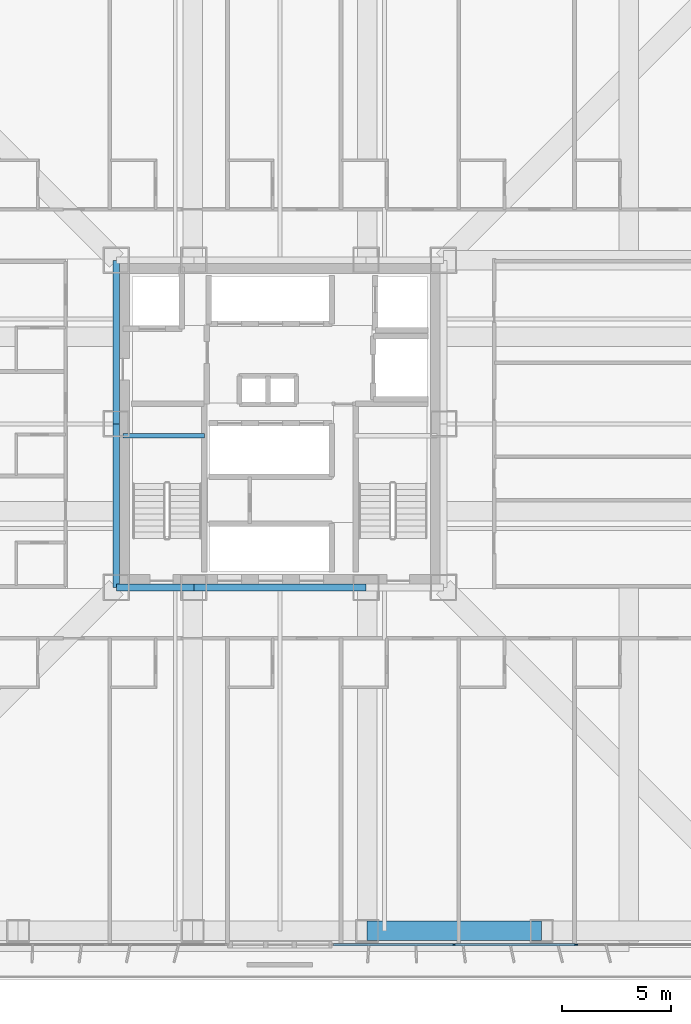
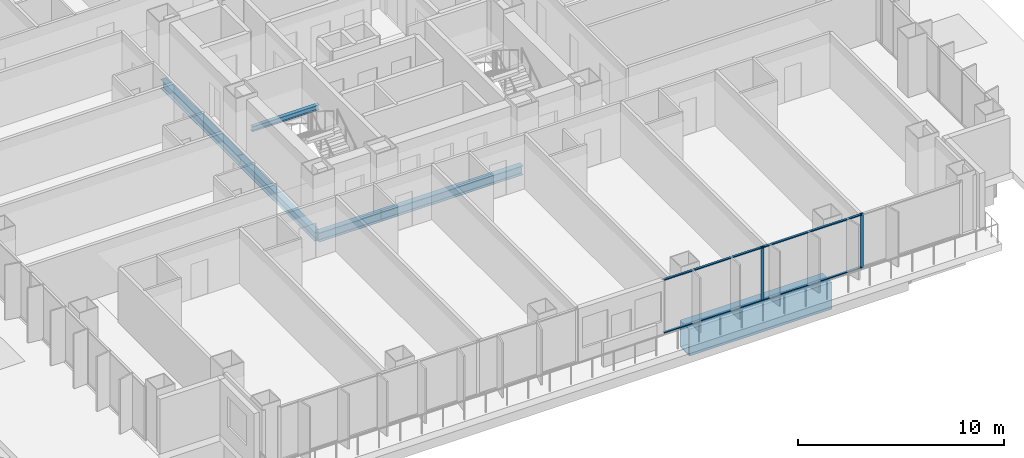
# One storey, part 6 of 24: 6 beams, 6 members, 1 element without a shape of its own.
"""IFC4 building model written with IfcOpenShell, lengths in metres."""

from ifc_helpers import new_model, si_unit, direction, frame, origin, origin_2d, place, context, subcontext, project, spatial, rectangle, hollow_rectangle, i_section, extrude, material, layer, layer_set, material_profile, profile_set, type_object, element, aggregate, save


model = new_model("IFC4")

# Units and contexts
model_context = context("Model", 3, precision=1e-05, world=origin(), true_north=direction((0.0, 1.0)))
body_context = subcontext(model_context, "Body", "Model", "MODEL_VIEW")
ifc_project = project(units=[si_unit("LENGTHUNIT", "METRE"), si_unit("AREAUNIT", "SQUARE_METRE"), si_unit("VOLUMEUNIT", "CUBIC_METRE"), si_unit("PLANEANGLEUNIT", "RADIAN"), si_unit("MASSUNIT", "GRAM", prefix="KILO")], contexts=[model_context])

# Site, building, storey
site_placement = place(None, origin())
site = spatial("IfcSite", under=ifc_project, at=site_placement, CompositionType="ELEMENT")
building_placement = place(site_placement, origin())
building = spatial("IfcBuilding", under=site, at=building_placement, Name="Trevonay Congress Spire", CompositionType="ELEMENT")
storey_placement = place(building_placement, frame((0.0, 0.0, 27.0)))
storey = spatial("IfcBuildingStorey", under=building, at=storey_placement, Name="L05", CompositionType="ELEMENT", Elevation=27.0)

# Beams
ifc_material_1 = material(Name="Steel ASTM A572 Grade 50", Category="steel")
ifc_material_profile_1 = material_profile(ifc_material_1, i_section(OverallWidth=0.31201171875, OverallDepth=0.54296875, WebThickness=0.0126953125, FlangeThickness=0.020263671875, FilletRadius=0.014892578125, at=origin_2d()), Name="W530x150")
ifc_profile_set_1 = profile_set([ifc_material_profile_1], Name="Steel ASTM A572 Grade 50")
beam_type_1 = type_object("IfcBeamType", Name="BM-GIRD-W530X150", PredefinedType="BEAM", material=ifc_profile_set_1)
beam_1_placement = place(storey_placement, frame((-7.5, -7.5, -0.67138671875), z_axis=(1.0, 0.0, 0.0), x_axis=(0.0, 1.0, 0.0)))
element("IfcBeam", 1, at=beam_1_placement, inside=storey, type_object=beam_type_1, Name="L05 structural beam BM-L05-CR-S1", PredefinedType="BEAM", context=body_context, shape_type="SweptSolid", body=[
    extrude(i_section(OverallWidth=0.31201171875, OverallDepth=0.54296875, WebThickness=0.0126953125, FlangeThickness=0.020263671875, FilletRadius=0.014892578125, at=origin_2d()), origin(), (0.0, 0.0, 1.0), 3.550048828125),
])
beam_2_placement = place(storey_placement, frame((-3.949951171875, -7.5, -0.67138671875), z_axis=(1.0, 0.0, 0.0), x_axis=(0.0, 1.0, 0.0)))
element("IfcBeam", 2, at=beam_2_placement, inside=storey, type_object=beam_type_1, Name="L05 structural beam BM-L05-CR-S2", PredefinedType="BEAM", context=body_context, shape_type="SweptSolid", body=[
    extrude(i_section(OverallWidth=0.31201171875, OverallDepth=0.54296875, WebThickness=0.0126953125, FlangeThickness=0.020263671875, FilletRadius=0.014892578125, at=origin_2d()), origin(), (0.0, 0.0, 1.0), 7.89990234375),
])
for number, where, z_axis, x_axis, name in (
    (3, (-7.5, -7.5, -0.67138671875), (0.0, 1.0, 0.0), (-1.0, 0.0, 0.0), "L05 structural beam BM-L05-CR-W1"),
    (4, (-7.5, 0.0, -0.67138671875), (0.0, 1.0, 0.0), (-1.0, 0.0, 0.0), "L05 structural beam BM-L05-CR-W2"),
):
    element("IfcBeam", number, at=place(storey_placement, frame(where, z_axis=z_axis, x_axis=x_axis)), inside=storey, type_object=beam_type_1, Name=name, PredefinedType="BEAM", context=body_context, shape_type="SweptSolid", body=[
        extrude(i_section(OverallWidth=0.31201171875, OverallDepth=0.54296875, WebThickness=0.0126953125, FlangeThickness=0.020263671875, FilletRadius=0.014892578125, at=origin_2d()), origin(), (0.0, 0.0, 1.0), 7.5),
    ])
ifc_material_profile_2 = material_profile(ifc_material_1, hollow_rectangle(XDim=0.89990234375, YDim=1.60009765625, WallThickness=0.06005859375, at=origin_2d()), Name="BOX 1600x900x60")
ifc_profile_set_2 = profile_set([ifc_material_profile_2], Name="Steel ASTM A572 Grade 50")
beam_type_2 = type_object("IfcBeamType", Name="BM-RING-BOX1600", PredefinedType="BEAM", material=ifc_profile_set_2)
beam_3_placement = place(storey_placement, frame((4.0, -23.25, -1.199951171875), z_axis=(1.0, 0.0, 0.0), x_axis=(0.0, 1.0, 0.0)))
element("IfcBeam", 5, at=beam_3_placement, inside=storey, type_object=beam_type_2, Name="L05 structural beam BM-L05-PS4", PredefinedType="BEAM", context=body_context, shape_type="SweptSolid", body=[
    extrude(hollow_rectangle(XDim=0.89990234375, YDim=1.60009765625, WallThickness=0.06005859375, at=origin_2d()), origin(), (0.0, 0.0, 1.0), 8.0),
])

# Curtain wall, members
ifc_material_2 = material(Name="Pale Anodised Aluminium EN AW-6063-T6", Category="aluminium")
ifc_layer = layer(ifc_material_2, 0.179931640625, Name="Pale Anodised Aluminium EN AW-6063-T6")
ifc_layer_set = layer_set([ifc_layer], Name="Pale Anodised Aluminium EN AW-6063-T6")
curtain_wall_type = type_object("IfcCurtainWallType", Name="CW-SYS02-HOTEL-PALE-METAL", PredefinedType="NOTDEFINED", material=ifc_layer_set)
curtain_wall_placement = place(storey_placement, origin())
curtain_wall = element("IfcCurtainWall", 6, at=curtain_wall_placement, inside=storey, type_object=curtain_wall_type, Name="L05 SB unitised curtain wall", PredefinedType="NOTDEFINED")
ifc_material_profile_3 = material_profile(ifc_material_2, rectangle(XDim=0.06005859375, YDim=0.159912109375, at=origin_2d()), Name="CW-MULLION-160-ALUMINIUM")
ifc_profile_set_3 = profile_set([ifc_material_profile_3], Name="Pale Anodised Aluminium EN AW-6063-T6")
member_type_1 = type_object("IfcMemberType", Name="CW-MULLION-160-ALUMINIUM", PredefinedType="MULLION", material=ifc_profile_set_3)
member_1_placement = place(storey_placement, frame((7.9833984375, -23.8798828125, 0.0), z_axis=(0.0, 0.0, 1.0), x_axis=(0.0, 1.0, 0.0)))
member_1 = element("IfcMember", 7, at=member_1_placement, type_object=member_type_1, Name="CW02 mullion 2", PredefinedType="MULLION", context=body_context, shape_type="SweptSolid", body=[
    extrude(rectangle(XDim=0.06005859375, YDim=0.159912109375, at=origin_2d()), origin(), (0.0, 0.0, 1.0), 3.25),
])
member_2_placement = place(storey_placement, frame((13.566650390625, -23.8798828125, 0.0), z_axis=(0.0, 0.0, 1.0), x_axis=(0.0, 1.0, 0.0)))
member_2 = element("IfcMember", 8, at=member_2_placement, type_object=member_type_1, Name="CW02 mullion 3", PredefinedType="MULLION", context=body_context, shape_type="SweptSolid", body=[
    extrude(rectangle(XDim=0.06005859375, YDim=0.159912109375, at=origin_2d()), origin(), (0.0, 0.0, 1.0), 3.25),
])
ifc_material_profile_4 = material_profile(ifc_material_2, rectangle(XDim=0.1201171875, YDim=0.06005859375, at=origin_2d()), Name="CW-TRANSOM-120-ALUMINIUM")
ifc_profile_set_4 = profile_set([ifc_material_profile_4], Name="Pale Anodised Aluminium EN AW-6063-T6")
member_type_2 = type_object("IfcMemberType", Name="CW-TRANSOM-120-ALUMINIUM", PredefinedType="USERDEFINED", material=ifc_profile_set_4)
member_3_placement = place(storey_placement, frame((2.4599609375, -23.8798828125, 0.06005859375), z_axis=(1.0, 0.0, 0.0), x_axis=(0.0, 1.0, 0.0)))
member_3 = element("IfcMember", 9, at=member_3_placement, type_object=member_type_2, Name="CW02 transom 1.1", ObjectType="TRANSOM", PredefinedType="USERDEFINED", context=body_context, shape_type="SweptSolid", body=[
    extrude(rectangle(XDim=0.1201171875, YDim=0.06005859375, at=origin_2d()), origin(), (0.0, 0.0, 1.0), 5.493408203125),
])
member_4_placement = place(storey_placement, frame((2.4599609375, -23.8798828125, 3.18994140625), z_axis=(1.0, 0.0, 0.0), x_axis=(0.0, 1.0, 0.0)))
member_4 = element("IfcMember", 10, at=member_4_placement, type_object=member_type_2, Name="CW02 transom 1.2", ObjectType="TRANSOM", PredefinedType="USERDEFINED", context=body_context, shape_type="SweptSolid", body=[
    extrude(rectangle(XDim=0.1201171875, YDim=0.06005859375, at=origin_2d()), origin(), (0.0, 0.0, 1.0), 5.493408203125),
])
member_5_placement = place(storey_placement, frame((8.013427734375, -23.8798828125, 0.06005859375), z_axis=(1.0, 0.0, 0.0), x_axis=(0.0, 1.0, 0.0)))
member_5 = element("IfcMember", 11, at=member_5_placement, type_object=member_type_2, Name="CW02 transom 2.1", ObjectType="TRANSOM", PredefinedType="USERDEFINED", context=body_context, shape_type="SweptSolid", body=[
    extrude(rectangle(XDim=0.1201171875, YDim=0.06005859375, at=origin_2d()), origin(), (0.0, 0.0, 1.0), 5.523193359375),
])
member_6_placement = place(storey_placement, frame((8.013427734375, -23.8798828125, 3.18994140625), z_axis=(1.0, 0.0, 0.0), x_axis=(0.0, 1.0, 0.0)))
member_6 = element("IfcMember", 12, at=member_6_placement, type_object=member_type_2, Name="CW02 transom 2.2", ObjectType="TRANSOM", PredefinedType="USERDEFINED", context=body_context, shape_type="SweptSolid", body=[
    extrude(rectangle(XDim=0.1201171875, YDim=0.06005859375, at=origin_2d()), origin(), (0.0, 0.0, 1.0), 5.523193359375),
])
aggregate(curtain_wall, [member_1, member_2, member_3, member_4, member_5, member_6])

# Beam
ifc_material_profile_5 = material_profile(ifc_material_1, i_section(OverallWidth=0.2041015625, OverallDepth=0.305908203125, WebThickness=0.008544921875, FlangeThickness=0.0146484375, FilletRadius=0.010986328125, at=origin_2d()), Name="W310x67")
ifc_profile_set_5 = profile_set([ifc_material_profile_5], Name="Steel ASTM A572 Grade 50")
beam_type_3 = type_object("IfcBeamType", Name="LN-CORE-W310X67", PredefinedType="LINTEL", material=ifc_profile_set_5)
beam_4_placement = place(storey_placement, frame((-7.199951171875, -0.550048828125, 1.39697265625), z_axis=(1.0, 0.0, 0.0), x_axis=(0.0, 1.0, 0.0)))
element("IfcBeam", 13, at=beam_4_placement, inside=storey, type_object=beam_type_3, Name="L05 structural beam BM-L05-HL-ST1", PredefinedType="LINTEL", context=body_context, shape_type="SweptSolid", body=[
    extrude(i_section(OverallWidth=0.2041015625, OverallDepth=0.305908203125, WebThickness=0.008544921875, FlangeThickness=0.0146484375, FilletRadius=0.010986328125, at=origin_2d()), origin(), (0.0, 0.0, 1.0), 3.75),
])

save(model, "model.ifc")
